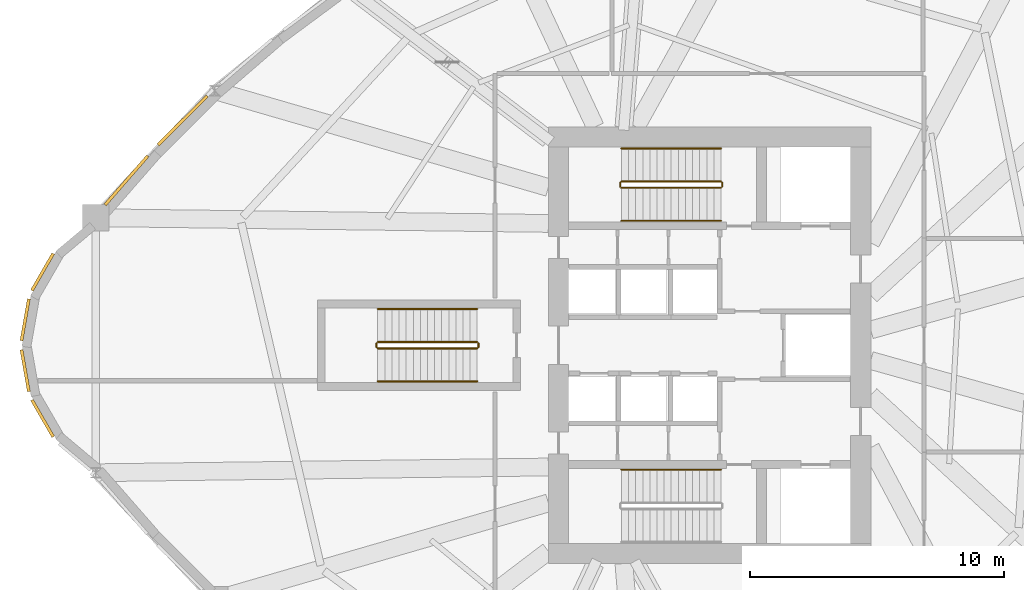
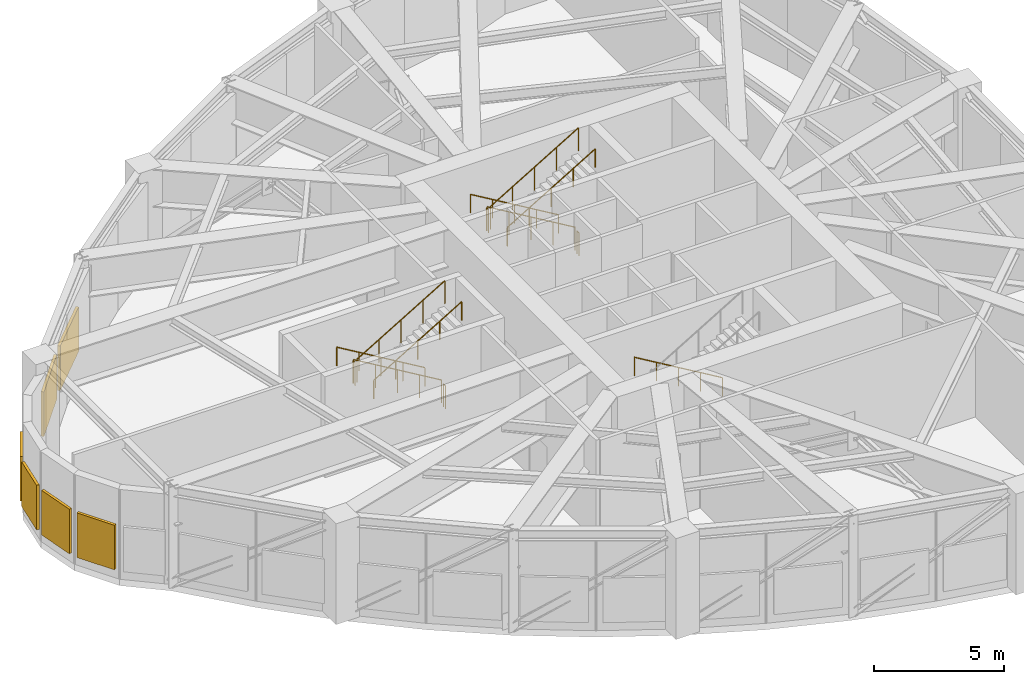
# One storey, part 8 of 9: 13 railings, 6 shading devices.
"""IFC4 building model written with IfcOpenShell, lengths in metres."""

from ifc_helpers import new_model, si_unit, direction, frame, origin, origin_2d, place, context, subcontext, project, spatial, rectangle, circle, extrude, source, transform, mapped, material, layer, layer_set, type_object, element, save


model = new_model("IFC4")

# Units and contexts
model_context = context("Model", 3, precision=1e-05, world=origin(), true_north=direction((0.0, 1.0)))
body_context = subcontext(model_context, "Body", "Model", "MODEL_VIEW")
ifc_project = project(units=[si_unit("LENGTHUNIT", "METRE"), si_unit("AREAUNIT", "SQUARE_METRE"), si_unit("VOLUMEUNIT", "CUBIC_METRE"), si_unit("PLANEANGLEUNIT", "RADIAN"), si_unit("MASSUNIT", "GRAM", prefix="KILO")], contexts=[model_context])

# Site, building, storey
site_placement = place(None, origin())
site = spatial("IfcSite", under=ifc_project, at=site_placement, CompositionType="ELEMENT")
building_placement = place(site_placement, origin())
building = spatial("IfcBuilding", under=site, at=building_placement, Name="Qafzar Sky-Pleat Residences", CompositionType="ELEMENT")
storey_placement = place(building_placement, frame((0.0, 0.0, 65.39990234375)))
storey = spatial("IfcBuildingStorey", under=building, at=storey_placement, Name="L19", CompositionType="ELEMENT", Elevation=65.39990234375)

# Shading devices
ifc_material_1 = material(Name="Anodised bronze aluminium acoustic louvre", Category="aluminium")
ifc_layer = layer(ifc_material_1, 0.1201171875)
ifc_layer_set = layer_set([ifc_layer], Name="Anodised bronze aluminium acoustic louvre")
shading_device_type = type_object("IfcShadingDeviceType", Name="SHD-LOUVRE-PLANT", PredefinedType="JALOUSIE", material=ifc_layer_set)
shared_shape_1 = source(origin(), body_context, "Body", "SweptSolid", [
    extrude(rectangle(XDim=1.67236328125, YDim=0.1201171875, at=origin_2d()), origin(), (0.0, 0.0, 1.0), 2.10009765625),
])
for number, where, z_axis, x_axis, name in (
    (1, (4.080810546875, 28.88330078125, 0.449951171875), (0.0, 0.0, 1.0), (-0.499972303345, -0.866041393865, 0.0), "L19 Plant Acoustic Louvre 2"),
    (2, (4.080810546875, 23.11669921875, 0.449951171875), (0.0, 0.0, 1.0), (0.499972303345, -0.866041393865, 0.0), "L19 Plant Acoustic Louvre 5"),
):
    element("IfcShadingDevice", number, at=place(storey_placement, frame(where, z_axis=z_axis, x_axis=x_axis)), inside=storey, type_object=shading_device_type, Name=name, PredefinedType="JALOUSIE", context=body_context, shape_type="MappedRepresentation", body=[
        mapped(shared_shape_1, transform((0.0, 0.0, 0.0), x_axis=(1.0, 0.0, 0.0), y_axis=(0.0, 1.0, 0.0), z_axis=(0.0, 0.0, 1.0), scale=1.0)),
    ])
shared_shape_2 = source(origin(), body_context, "Body", "SweptSolid", [
    extrude(rectangle(XDim=1.672119140625, YDim=0.1201171875, at=origin_2d()), origin(), (0.0, 0.0, 1.0), 2.10009765625),
])
for number, where, z_axis, x_axis, name in (
    (3, (3.395751953125, 27.00146484375, 0.449951171875), (0.0, 0.0, 1.0), (-0.173662519465, -0.984805224059, 0.0), "L19 Plant Acoustic Louvre 3"),
    (4, (3.395751953125, 24.99853515625, 0.449951171875), (0.0, 0.0, 1.0), (0.173662519465, -0.984805224059, 0.0), "L19 Plant Acoustic Louvre 4"),
):
    element("IfcShadingDevice", number, at=place(storey_placement, frame(where, z_axis=z_axis, x_axis=x_axis)), inside=storey, type_object=shading_device_type, Name=name, PredefinedType="JALOUSIE", context=body_context, shape_type="MappedRepresentation", body=[
        mapped(shared_shape_2, transform((0.0, 0.0, 0.0), x_axis=(1.0, 0.0, 0.0), y_axis=(0.0, 1.0, 0.0), z_axis=(0.0, 0.0, 1.0), scale=1.0)),
    ])
shared_shape_3 = source(origin(), body_context, "Body", "SweptSolid", [
    extrude(rectangle(XDim=2.727783203125, YDim=0.1201171875, at=origin_2d()), origin(), (0.0, 0.0, 1.0), 2.10009765625),
])
shading_device_1_placement = place(storey_placement, frame((9.59521484375, 34.848388671875, 0.449951171875), z_axis=(0.0, 0.0, 1.0), x_axis=(-0.708395995977, -0.70581521157, 0.0)))
element("IfcShadingDevice", 5, at=shading_device_1_placement, inside=storey, type_object=shading_device_type, Name="L19 Plant Acoustic Louvre 47", PredefinedType="JALOUSIE", context=body_context, shape_type="MappedRepresentation", body=[
    mapped(shared_shape_3, transform((0.0, 0.0, 0.0), x_axis=(1.0, 0.0, 0.0), y_axis=(0.0, 1.0, 0.0), z_axis=(0.0, 0.0, 1.0), scale=1.0)),
])
shared_shape_4 = source(origin(), body_context, "Body", "SweptSolid", [
    extrude(rectangle(XDim=2.56201171875, YDim=0.1201171875, at=origin_2d()), origin(), (0.0, 0.0, 1.0), 2.10009765625),
])
shading_device_2_placement = place(storey_placement, frame((7.3837890625, 32.4912109375, 0.449951171875), z_axis=(0.0, 0.0, 1.0), x_axis=(-0.657613204539, -0.753355741476, 0.0)))
element("IfcShadingDevice", 6, at=shading_device_2_placement, inside=storey, type_object=shading_device_type, Name="L19 Plant Acoustic Louvre 48", PredefinedType="JALOUSIE", context=body_context, shape_type="MappedRepresentation", body=[
    mapped(shared_shape_4, transform((0.0, 0.0, 0.0), x_axis=(1.0, 0.0, 0.0), y_axis=(0.0, 1.0, 0.0), z_axis=(0.0, 0.0, 1.0), scale=1.0)),
])

# Railings
ifc_material_2 = material(Name="Painted Steel S355 stair guardrail", Category="steel")
railing_type_1 = type_object("IfcRailingType", Name="RAIL-STAIR-GUARD", PredefinedType="GUARDRAIL", material=ifc_material_2)
shared_shape_5 = source(origin(), body_context, "Body", "SweptSolid", [
    extrude(circle(Radius=0.02392578125, at=origin_2d()), frame((0.0, 0.0, 1.076171875), z_axis=(0.0, -1.0, 0.0), x_axis=(1.0, 0.0, 0.0)), (0.0, 0.0, 1.0), 0.14990234375),
    extrude(circle(Radius=0.02099609375, at=origin_2d()), origin(), (0.0, 0.0, 1.0), 1.052001953125),
    extrude(circle(Radius=0.02099609375, at=origin_2d()), frame((0.0, -0.14990234375, 0.0)), (0.0, 0.0, 1.0), 1.052001953125),
])
for number, where, name in (
    (7, (26.830078125, 32.39990234375, 2.5), "L19 ST2 stair guard 2"),
    (8, (30.85009765625, 32.39990234375, 0.0), "L19 ST2 stair guard 4"),
    (9, (17.22998046875, 26.074951171875, 2.5), "L19 ST3 stair guard 2"),
    (10, (21.25, 26.074951171875, 0.0), "L19 ST3 stair guard 4"),
):
    element("IfcRailing", number, at=place(storey_placement, frame(where)), inside=storey, type_object=railing_type_1, Name=name, PredefinedType="GUARDRAIL", context=body_context, shape_type="MappedRepresentation", body=[
        mapped(shared_shape_5, transform((0.0, 0.0, 0.0), x_axis=(1.0, 0.0, 0.0), y_axis=(0.0, 1.0, 0.0), z_axis=(0.0, 0.0, 1.0), scale=1.0)),
    ])
shared_shape_6 = source(origin(), body_context, "Body", "SweptSolid", [
    extrude(circle(Radius=0.02392578125, at=origin_2d()), frame((0.0, 0.0, 1.076171875), z_axis=(-0.859310244771, 0.0, 0.511454693235), x_axis=(0.0, -1.0, 0.0)), (0.0, 0.0, 1.0), 4.56201171875),
    extrude(circle(Radius=0.02099609375, at=origin_2d()), origin(), (0.0, 0.0, 1.0), 1.052001953125),
    extrude(circle(Radius=0.02099609375, at=origin_2d()), frame((-0.97998046875, 0.0, 0.583251953125)), (0.0, 0.0, 1.0), 1.052001953125),
    extrude(circle(Radius=0.02099609375, at=origin_2d()), frame((-1.9599609375, 0.0, 1.16650390625)), (0.0, 0.0, 1.0), 1.052001953125),
    extrude(circle(Radius=0.02099609375, at=origin_2d()), frame((-2.940185546875, 0.0, 1.75)), (0.0, 0.0, 1.0), 1.052001953125),
    extrude(circle(Radius=0.02099609375, at=origin_2d()), frame((-3.920166015625, 0.0, 2.333251953125)), (0.0, 0.0, 1.0), 1.052001953125),
])
railing_1_placement = place(storey_placement, frame((30.800048828125, 32.449951171875, 0.166748046875)))
element("IfcRailing", 11, at=railing_1_placement, inside=storey, type_object=railing_type_1, Name="L19 ST2 stair guard 1", PredefinedType="GUARDRAIL", context=body_context, shape_type="MappedRepresentation", body=[
    mapped(shared_shape_6, transform((0.0, 0.0, 0.0), x_axis=(1.0, 0.0, 0.0), y_axis=(0.0, 1.0, 0.0), z_axis=(0.0, 0.0, 1.0), scale=1.0)),
])
shared_shape_7 = source(origin(), body_context, "Body", "SweptSolid", [
    extrude(circle(Radius=0.02392578125, at=origin_2d()), frame((0.0, 0.0, 1.076171875), z_axis=(0.859310244771, 0.0, 0.511454693235), x_axis=(0.0, 1.0, 0.0)), (0.0, 0.0, 1.0), 4.56201171875),
    extrude(circle(Radius=0.02099609375, at=origin_2d()), origin(), (0.0, 0.0, 1.0), 1.052001953125),
    extrude(circle(Radius=0.02099609375, at=origin_2d()), frame((0.97998046875, 0.0, 0.583251953125)), (0.0, 0.0, 1.0), 1.052001953125),
    extrude(circle(Radius=0.02099609375, at=origin_2d()), frame((1.9599609375, 0.0, 1.16650390625)), (0.0, 0.0, 1.0), 1.052001953125),
    extrude(circle(Radius=0.02099609375, at=origin_2d()), frame((2.940185546875, 0.0, 1.75)), (0.0, 0.0, 1.0), 1.052001953125),
    extrude(circle(Radius=0.02099609375, at=origin_2d()), frame((3.920166015625, 0.0, 2.333251953125)), (0.0, 0.0, 1.0), 1.052001953125),
])
railing_2_placement = place(storey_placement, frame((26.8798828125, 32.199951171875, 2.666748046875)))
element("IfcRailing", 12, at=railing_2_placement, inside=storey, type_object=railing_type_1, Name="L19 ST2 stair guard 3", PredefinedType="GUARDRAIL", context=body_context, shape_type="MappedRepresentation", body=[
    mapped(shared_shape_7, transform((0.0, 0.0, 0.0), x_axis=(1.0, 0.0, 0.0), y_axis=(0.0, 1.0, 0.0), z_axis=(0.0, 0.0, 1.0), scale=1.0)),
])
ifc_material_3 = material(Name="Brushed stainless steel handrail", Category="steel")
railing_type_2 = type_object("IfcRailingType", Name="RAIL-STAIR-HAND", PredefinedType="HANDRAIL", material=ifc_material_3)
shared_shape_8 = source(origin(), body_context, "Body", "SweptSolid", [
    extrude(circle(Radius=0.02392578125, at=origin_2d()), frame((0.0, 0.0, 0.8759765625), z_axis=(-0.859310244771, 0.0, 0.511454693235), x_axis=(0.0, -1.0, 0.0)), (0.0, 0.0, 1.0), 4.56201171875),
    extrude(circle(Radius=0.02099609375, at=origin_2d()), origin(), (0.0, 0.0, 1.0), 0.851806640625),
    extrude(circle(Radius=0.02099609375, at=origin_2d()), frame((-0.97998046875, 0.0, 0.583251953125)), (0.0, 0.0, 1.0), 0.851806640625),
    extrude(circle(Radius=0.02099609375, at=origin_2d()), frame((-1.9599609375, 0.0, 1.16650390625)), (0.0, 0.0, 1.0), 0.851806640625),
    extrude(circle(Radius=0.02099609375, at=origin_2d()), frame((-2.940185546875, 0.0, 1.75)), (0.0, 0.0, 1.0), 0.851806640625),
    extrude(circle(Radius=0.02099609375, at=origin_2d()), frame((-3.920166015625, 0.0, 2.333251953125)), (0.0, 0.0, 1.0), 0.851806640625),
])
for number, where, name in (
    (13, (30.800048828125, 21.10009765625, 0.166748046875), "L19 ST1 stair handrail 1"),
    (14, (30.800048828125, 33.75, 0.166748046875), "L19 ST2 stair handrail 1"),
):
    element("IfcRailing", number, at=place(storey_placement, frame(where)), inside=storey, type_object=railing_type_2, Name=name, PredefinedType="HANDRAIL", context=body_context, shape_type="MappedRepresentation", body=[
        mapped(shared_shape_8, transform((0.0, 0.0, 0.0), x_axis=(1.0, 0.0, 0.0), y_axis=(0.0, 1.0, 0.0), z_axis=(0.0, 0.0, 1.0), scale=1.0)),
    ])
shared_shape_9 = source(origin(), body_context, "Body", "SweptSolid", [
    extrude(circle(Radius=0.02392578125, at=origin_2d()), frame((0.0, 0.0, 0.8759765625), z_axis=(0.859310244771, 0.0, 0.511454693235), x_axis=(0.0, 1.0, 0.0)), (0.0, 0.0, 1.0), 4.56201171875),
    extrude(circle(Radius=0.02099609375, at=origin_2d()), origin(), (0.0, 0.0, 1.0), 0.851806640625),
    extrude(circle(Radius=0.02099609375, at=origin_2d()), frame((0.97998046875, 0.0, 0.583251953125)), (0.0, 0.0, 1.0), 0.851806640625),
    extrude(circle(Radius=0.02099609375, at=origin_2d()), frame((1.9599609375, 0.0, 1.16650390625)), (0.0, 0.0, 1.0), 0.851806640625),
    extrude(circle(Radius=0.02099609375, at=origin_2d()), frame((2.940185546875, 0.0, 1.75)), (0.0, 0.0, 1.0), 0.851806640625),
    extrude(circle(Radius=0.02099609375, at=origin_2d()), frame((3.920166015625, 0.0, 2.333251953125)), (0.0, 0.0, 1.0), 0.851806640625),
])
railing_3_placement = place(storey_placement, frame((26.8798828125, 30.89990234375, 2.666748046875)))
element("IfcRailing", 15, at=railing_3_placement, inside=storey, type_object=railing_type_2, Name="L19 ST2 stair handrail 2", PredefinedType="HANDRAIL", context=body_context, shape_type="MappedRepresentation", body=[
    mapped(shared_shape_9, transform((0.0, 0.0, 0.0), x_axis=(1.0, 0.0, 0.0), y_axis=(0.0, 1.0, 0.0), z_axis=(0.0, 0.0, 1.0), scale=1.0)),
])
shared_shape_10 = source(origin(), body_context, "Body", "SweptSolid", [
    extrude(circle(Radius=0.02392578125, at=origin_2d()), frame((0.0, 0.0, 1.076171875), z_axis=(-0.859296244711, 0.0, 0.511478214419), x_axis=(0.0, -1.0, 0.0)), (0.0, 0.0, 1.0), 4.561767578125),
    extrude(circle(Radius=0.02099609375, at=origin_2d()), origin(), (0.0, 0.0, 1.0), 1.052001953125),
    extrude(circle(Radius=0.02099609375, at=origin_2d()), frame((-0.97998046875, 0.0, 0.583251953125)), (0.0, 0.0, 1.0), 1.052001953125),
    extrude(circle(Radius=0.02099609375, at=origin_2d()), frame((-1.9599609375, 0.0, 1.16650390625)), (0.0, 0.0, 1.0), 1.052001953125),
    extrude(circle(Radius=0.02099609375, at=origin_2d()), frame((-2.93994140625, 0.0, 1.75)), (0.0, 0.0, 1.0), 1.052001953125),
    extrude(circle(Radius=0.02099609375, at=origin_2d()), frame((-3.919921875, 0.0, 2.333251953125)), (0.0, 0.0, 1.0), 1.052001953125),
])
railing_4_placement = place(storey_placement, frame((21.199951171875, 26.125, 0.166748046875)))
element("IfcRailing", 16, at=railing_4_placement, inside=storey, type_object=railing_type_1, Name="L19 ST3 stair guard 1", PredefinedType="GUARDRAIL", context=body_context, shape_type="MappedRepresentation", body=[
    mapped(shared_shape_10, transform((0.0, 0.0, 0.0), x_axis=(1.0, 0.0, 0.0), y_axis=(0.0, 1.0, 0.0), z_axis=(0.0, 0.0, 1.0), scale=1.0)),
])
shared_shape_11 = source(origin(), body_context, "Body", "SweptSolid", [
    extrude(circle(Radius=0.02392578125, at=origin_2d()), frame((0.0, 0.0, 1.076171875), z_axis=(0.859296244711, 0.0, 0.511478214419), x_axis=(0.0, 1.0, 0.0)), (0.0, 0.0, 1.0), 4.561767578125),
    extrude(circle(Radius=0.02099609375, at=origin_2d()), origin(), (0.0, 0.0, 1.0), 1.052001953125),
    extrude(circle(Radius=0.02099609375, at=origin_2d()), frame((0.97998046875, 0.0, 0.583251953125)), (0.0, 0.0, 1.0), 1.052001953125),
    extrude(circle(Radius=0.02099609375, at=origin_2d()), frame((1.9599609375, 0.0, 1.16650390625)), (0.0, 0.0, 1.0), 1.052001953125),
    extrude(circle(Radius=0.02099609375, at=origin_2d()), frame((2.93994140625, 0.0, 1.75)), (0.0, 0.0, 1.0), 1.052001953125),
    extrude(circle(Radius=0.02099609375, at=origin_2d()), frame((3.919921875, 0.0, 2.333251953125)), (0.0, 0.0, 1.0), 1.052001953125),
])
railing_5_placement = place(storey_placement, frame((17.280029296875, 25.875, 2.666748046875)))
element("IfcRailing", 17, at=railing_5_placement, inside=storey, type_object=railing_type_1, Name="L19 ST3 stair guard 3", PredefinedType="GUARDRAIL", context=body_context, shape_type="MappedRepresentation", body=[
    mapped(shared_shape_11, transform((0.0, 0.0, 0.0), x_axis=(1.0, 0.0, 0.0), y_axis=(0.0, 1.0, 0.0), z_axis=(0.0, 0.0, 1.0), scale=1.0)),
])
shared_shape_12 = source(origin(), body_context, "Body", "SweptSolid", [
    extrude(circle(Radius=0.02392578125, at=origin_2d()), frame((0.0, 0.0, 0.8759765625), z_axis=(-0.859296244711, 0.0, 0.511478214419), x_axis=(0.0, -1.0, 0.0)), (0.0, 0.0, 1.0), 4.561767578125),
    extrude(circle(Radius=0.02099609375, at=origin_2d()), origin(), (0.0, 0.0, 1.0), 0.851806640625),
    extrude(circle(Radius=0.02099609375, at=origin_2d()), frame((-0.97998046875, 0.0, 0.583251953125)), (0.0, 0.0, 1.0), 0.851806640625),
    extrude(circle(Radius=0.02099609375, at=origin_2d()), frame((-1.9599609375, 0.0, 1.16650390625)), (0.0, 0.0, 1.0), 0.851806640625),
    extrude(circle(Radius=0.02099609375, at=origin_2d()), frame((-2.93994140625, 0.0, 1.75)), (0.0, 0.0, 1.0), 0.851806640625),
    extrude(circle(Radius=0.02099609375, at=origin_2d()), frame((-3.919921875, 0.0, 2.333251953125)), (0.0, 0.0, 1.0), 0.851806640625),
])
railing_6_placement = place(storey_placement, frame((21.199951171875, 27.425048828125, 0.166748046875)))
element("IfcRailing", 18, at=railing_6_placement, inside=storey, type_object=railing_type_2, Name="L19 ST3 stair handrail 1", PredefinedType="HANDRAIL", context=body_context, shape_type="MappedRepresentation", body=[
    mapped(shared_shape_12, transform((0.0, 0.0, 0.0), x_axis=(1.0, 0.0, 0.0), y_axis=(0.0, 1.0, 0.0), z_axis=(0.0, 0.0, 1.0), scale=1.0)),
])
shared_shape_13 = source(origin(), body_context, "Body", "SweptSolid", [
    extrude(circle(Radius=0.02392578125, at=origin_2d()), frame((0.0, 0.0, 0.8759765625), z_axis=(0.859296244711, 0.0, 0.511478214419), x_axis=(0.0, 1.0, 0.0)), (0.0, 0.0, 1.0), 4.561767578125),
    extrude(circle(Radius=0.02099609375, at=origin_2d()), origin(), (0.0, 0.0, 1.0), 0.851806640625),
    extrude(circle(Radius=0.02099609375, at=origin_2d()), frame((0.97998046875, 0.0, 0.583251953125)), (0.0, 0.0, 1.0), 0.851806640625),
    extrude(circle(Radius=0.02099609375, at=origin_2d()), frame((1.9599609375, 0.0, 1.16650390625)), (0.0, 0.0, 1.0), 0.851806640625),
    extrude(circle(Radius=0.02099609375, at=origin_2d()), frame((2.93994140625, 0.0, 1.75)), (0.0, 0.0, 1.0), 0.851806640625),
    extrude(circle(Radius=0.02099609375, at=origin_2d()), frame((3.919921875, 0.0, 2.333251953125)), (0.0, 0.0, 1.0), 0.851806640625),
])
railing_7_placement = place(storey_placement, frame((17.280029296875, 24.574951171875, 2.666748046875)))
element("IfcRailing", 19, at=railing_7_placement, inside=storey, type_object=railing_type_2, Name="L19 ST3 stair handrail 2", PredefinedType="HANDRAIL", context=body_context, shape_type="MappedRepresentation", body=[
    mapped(shared_shape_13, transform((0.0, 0.0, 0.0), x_axis=(1.0, 0.0, 0.0), y_axis=(0.0, 1.0, 0.0), z_axis=(0.0, 0.0, 1.0), scale=1.0)),
])

save(model, "model.ifc")
